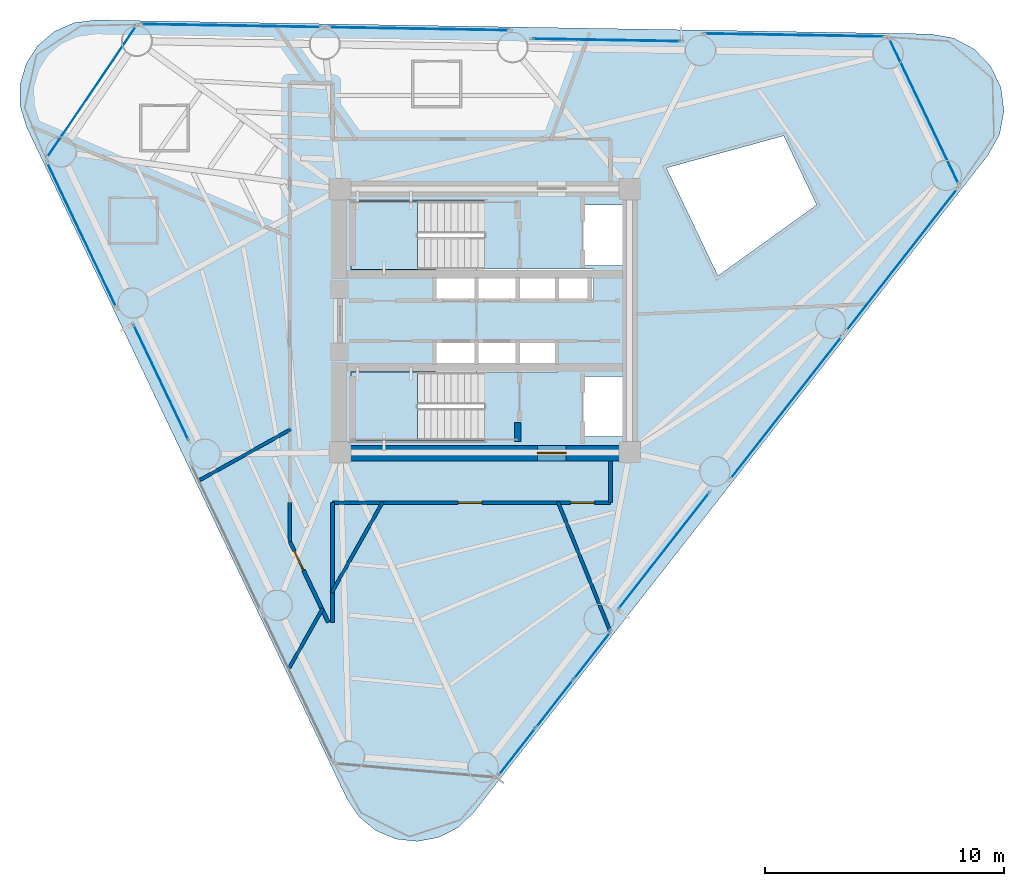
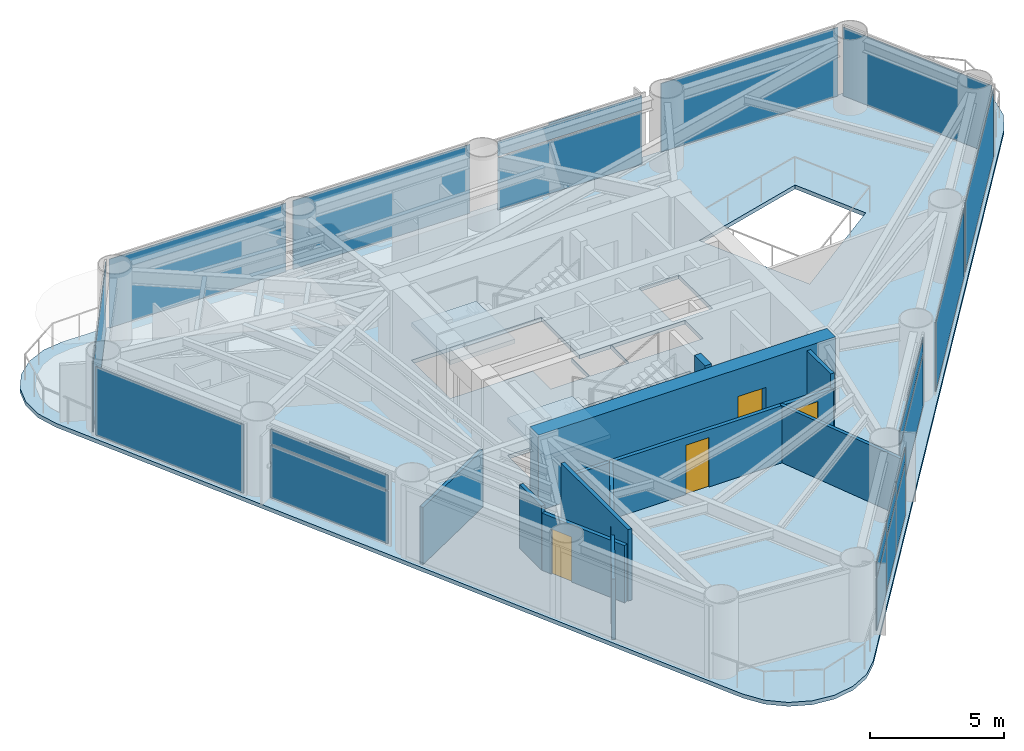
# One storey, part 5 of 10: 23 plates, 11 walls, 4 doors, 3 slabs, 4 openings, 14 elements without a shape of their own.
"""IFC4 building model written with IfcOpenShell, lengths in metres."""

import ifcopenshell
import ifcopenshell.guid

model = None  # the IFC model being written
_history = None  # IfcOwnerHistory: only IFC2X3 demands one
_inside = {}  # id of a spatial element -> (the spatial element, [elements in it])
_under = {}  # id of a project, library or spatial element -> (it, [spatial elements below it])
_declared = {}  # id of a project -> (the project, [libraries it declares])
_typed = {}  # id of a type object -> (the type object, [elements of that type])
_made_of = {}  # id of a material, layer set ... -> (it, [elements and type objects made of it])


def new_model(schema):
    """Start an empty IFC model of exactly this schema.

    Asked for "IFC4X3", IfcOpenShell would pick the latest addendum, in which some entities
    have other attributes; the version numbers below select the first issue.
    IFC2X3 requires an IfcOwnerHistory on every rooted entity: one is made here for all.
    """
    global model, _history
    if schema == "IFC4X3":
        model = ifcopenshell.file(schema_version=(4, 3, 0, 0))
    else:
        model = ifcopenshell.file(schema=schema)
    _inside.clear()
    _under.clear()
    _declared.clear()
    _typed.clear()
    _made_of.clear()
    _history = None
    if model.schema == "IFC2X3":
        org = make("IfcOrganization", Name="unknown")
        user = make(
            "IfcPersonAndOrganization",
            ThePerson=make("IfcPerson", FamilyName="unknown"),
            TheOrganization=org,
        )
        app = make(
            "IfcApplication",
            ApplicationDeveloper=org,
            Version="unknown",
            ApplicationFullName="unknown",
            ApplicationIdentifier="unknown",
        )
        _history = make(
            "IfcOwnerHistory",
            OwningUser=user,
            OwningApplication=app,
            ChangeAction="ADDED",
            CreationDate=0,
        )
    return model


def make(cls, **values):
    """One entity of the class cls with the attributes given. An attribute that is None is left unset."""
    return model.create_entity(
        cls, **{name: value for name, value in values.items() if value is not None}
    )


def rooted(cls, **values):
    """An entity with a GlobalId (a new one), such as an element, a storey or a relation."""
    return make(cls, GlobalId=ifcopenshell.guid.new(), OwnerHistory=_history, **values)


def si_unit(unit_type, name, prefix=None):
    """IfcSIUnit, for example si_unit("LENGTHUNIT", "METRE", prefix="MILLI")."""
    return make("IfcSIUnit", UnitType=unit_type, Prefix=prefix, Name=name)


def assignment(units):
    """IfcUnitAssignment: the units of a project."""
    return None if units is None else make("IfcUnitAssignment", Units=units)


def point(xyz):
    """IfcCartesianPoint."""
    return None if xyz is None else make("IfcCartesianPoint", Coordinates=xyz)


def direction(xyz):
    """IfcDirection."""
    return None if xyz is None else make("IfcDirection", DirectionRatios=xyz)


def frame(location, z_axis=None, x_axis=None):
    """IfcAxis2Placement3D, a coordinate frame: its origin and axes. An axis left out is left unset."""
    return make(
        "IfcAxis2Placement3D",
        Location=point(location),
        Axis=direction(z_axis),
        RefDirection=direction(x_axis),
    )


def frame_2d(location, x_axis=None):
    """IfcAxis2Placement2D, a coordinate frame in the plane: its origin and x axis."""
    return make(
        "IfcAxis2Placement2D", Location=point(location), RefDirection=direction(x_axis)
    )


def origin():
    """The frame at (0, 0, 0) with its axes left unset."""
    return frame((0.0, 0.0, 0.0))


def origin_2d():
    """The frame at (0, 0) in the plane with its x axis left unset."""
    return frame_2d((0.0, 0.0))


def place(relative_to, where):
    """IfcLocalPlacement: puts the frame where relative to a parent placement (None: the world)."""
    return make(
        "IfcLocalPlacement", PlacementRelTo=relative_to, RelativePlacement=where
    )


def context(
    kind, dimensions, precision=None, world=None, true_north=None, identifier=None
):
    """IfcGeometricRepresentationContext, for example the 3D "Model" context."""
    return make(
        "IfcGeometricRepresentationContext",
        ContextIdentifier=identifier,
        ContextType=kind,
        CoordinateSpaceDimension=dimensions,
        Precision=precision,
        WorldCoordinateSystem=world,
        TrueNorth=true_north,
    )


def subcontext(parent, identifier, kind, view, scale=None):
    """IfcGeometricRepresentationSubContext, for example "Body" below "Model"."""
    return make(
        "IfcGeometricRepresentationSubContext",
        ContextIdentifier=identifier,
        ContextType=kind,
        ParentContext=parent,
        TargetScale=scale,
        TargetView=view,
    )


def project(units=None, contexts=None):
    """IfcProject with its units and contexts."""
    return rooted(
        "IfcProject",
        Name="project",
        RepresentationContexts=contexts,
        UnitsInContext=assignment(units),
    )


def spatial(cls, under=None, at=None, **own):
    """A site, building, storey or space (cls), placed at a placement, below another one or the project."""
    s = rooted(cls, ObjectPlacement=at, **own)
    if under is not None:
        _under.setdefault(under.id(), (under, []))[1].append(s)
    return s


def polyline(points):
    """IfcPolyline through the points."""
    return make("IfcPolyline", Points=[point(p) for p in points])


def profile(cls, at=None, kind="AREA", **sizes):
    """A parametric profile (cls). Its sizes go by their IFC names, for example OverallWidth=200.0."""
    return make(cls, ProfileType=kind, Position=at, **sizes)


def rectangle(**sizes):
    """IfcRectangleProfileDef."""
    return profile("IfcRectangleProfileDef", **sizes)


def outline(outer, holes=None, kind="AREA"):
    """IfcArbitraryClosedProfileDef: a profile drawn as a closed curve; with holes, ...WithVoids."""
    if holes is None:
        return make("IfcArbitraryClosedProfileDef", ProfileType=kind, OuterCurve=outer)
    return make(
        "IfcArbitraryProfileDefWithVoids",
        ProfileType=kind,
        OuterCurve=outer,
        InnerCurves=holes,
    )


def extrude(swept, where, along, depth):
    """IfcExtrudedAreaSolid: the profile swept, set in the frame where, extruded along a direction by depth."""
    return make(
        "IfcExtrudedAreaSolid",
        SweptArea=swept,
        Position=where,
        ExtrudedDirection=direction(along),
        Depth=depth,
    )


def shape(context_of_items, identifier, shape_type, items):
    """IfcShapeRepresentation: the items that make up one representation, for example the "Body"."""
    return make(
        "IfcShapeRepresentation",
        ContextOfItems=context_of_items,
        RepresentationIdentifier=identifier,
        RepresentationType=shape_type,
        Items=items,
    )


def source(mapping_origin, context_of_items, identifier, shape_type, items):
    """IfcRepresentationMap: a shape defined once, which mapped items show again and again."""
    return make(
        "IfcRepresentationMap",
        MappingOrigin=mapping_origin,
        MappedRepresentation=shape(context_of_items, identifier, shape_type, items),
    )


def transform(
    local_origin,
    x_axis=None,
    y_axis=None,
    z_axis=None,
    scale=None,
    scale2=None,
    scale3=None,
    uniform=True,
):
    """IfcCartesianTransformationOperator3D, or its non-uniform kind. x_axis, y_axis, z_axis: its Axis1, 2, 3."""
    if uniform:
        return make(
            "IfcCartesianTransformationOperator3D",
            Axis1=direction(x_axis),
            Axis2=direction(y_axis),
            LocalOrigin=point(local_origin),
            Scale=scale,
            Axis3=direction(z_axis),
        )
    return make(
        "IfcCartesianTransformationOperator3DnonUniform",
        Axis1=direction(x_axis),
        Axis2=direction(y_axis),
        LocalOrigin=point(local_origin),
        Scale=scale,
        Axis3=direction(z_axis),
        Scale2=scale2,
        Scale3=scale3,
    )


def mapped(mapping_source, mapping_target):
    """IfcMappedItem: shows the shape of a source again, moved by a transform."""
    return make(
        "IfcMappedItem", MappingSource=mapping_source, MappingTarget=mapping_target
    )


def material(Name=None, Category=None):
    """IfcMaterial."""
    return make("IfcMaterial", Name=Name, Category=Category)


def layer(
    of_material, thickness, ventilated=None, Name=None, Category=None, Priority=None
):
    """IfcMaterialLayer: one layer of a wall or slab, of a material (None: an air gap)."""
    return make(
        "IfcMaterialLayer",
        Material=of_material,
        LayerThickness=thickness,
        IsVentilated=ventilated,
        Name=Name,
        Category=Category,
        Priority=Priority,
    )


def layer_set(layers, Name=None):
    """IfcMaterialLayerSet."""
    return make("IfcMaterialLayerSet", MaterialLayers=layers, LayerSetName=Name)


def made_of(thing, what):
    """Note that an element or type object is made of a material, layer set ...; save() writes the relation."""
    if what is not None:
        _made_of.setdefault(what.id(), (what, []))[1].append(thing)
    return thing


def type_object(cls, material=None, **own):
    """A type object (cls), such as IfcWallType, which elements share."""
    return made_of(rooted(cls, **own), material)


def element(
    cls,
    number,
    at=None,
    inside=None,
    cuts=None,
    type_object=None,
    material=None,
    context=None,
    identifier="Body",
    shape_type=None,
    held_by="IfcProductDefinitionShape",
    body=None,
    shapes=None,
    **own,
):
    """One element of the class cls, such as IfcWall. Its Tag is "e" and its number.

    at: its placement. inside: the storey or other place that contains it. cuts: it is an
    opening in that element (IfcRelVoidsElement). A single representation is given by context,
    identifier, shape_type and body (its items); several are given by shapes. held_by: the class
    of the entity that holds the representations. save() writes the other relations.
    """
    e = rooted(cls, Tag="e%d" % number, ObjectPlacement=at, **own)
    if body is not None:
        shapes = [shape(context, identifier, shape_type, body)]
    if shapes is not None:
        e.Representation = make(held_by, Representations=shapes)
    if inside is not None:
        _inside.setdefault(inside.id(), (inside, []))[1].append(e)
    if cuts is not None:
        rooted(
            "IfcRelVoidsElement", RelatingBuildingElement=cuts, RelatedOpeningElement=e
        )
    if type_object is not None:
        _typed.setdefault(type_object.id(), (type_object, []))[1].append(e)
    return made_of(e, material)


def fill(opening, filler):
    """IfcRelFillsElement: the door or window that sits in an opening."""
    return rooted(
        "IfcRelFillsElement",
        RelatingOpeningElement=opening,
        RelatedBuildingElement=filler,
    )


def aggregate(whole, parts):
    """IfcRelAggregates: a whole, such as a stair, and the parts it consists of."""
    return rooted("IfcRelAggregates", RelatingObject=whole, RelatedObjects=parts)


def save(model, path):
    """Write the relations noted so far, then the file.

    IfcRelAggregates (storeys below a building ...), IfcRelContainedInSpatialStructure (elements
    in a storey), IfcRelDefinesByType, IfcRelAssociatesMaterial and IfcRelDeclares: one each for
    every whole, place, type object, material and project.
    """
    for whole, parts in _under.values():
        aggregate(whole, parts)
    for where, things in _inside.values():
        rooted(
            "IfcRelContainedInSpatialStructure",
            RelatedElements=things,
            RelatingStructure=where,
        )
    for kind, things in _typed.values():
        rooted("IfcRelDefinesByType", RelatedObjects=things, RelatingType=kind)
    for what, things in _made_of.values():
        rooted("IfcRelAssociatesMaterial", RelatedObjects=things, RelatingMaterial=what)
    for by, libraries in _declared.values():
        rooted("IfcRelDeclares", RelatingContext=by, RelatedDefinitions=libraries)
    model.write(path)


model = new_model("IFC4")

# Units and contexts
model_context = context("Model", 3, precision=1e-05, world=origin(), true_north=direction((0.0, 1.0)))
body_context = subcontext(model_context, "Body", "Model", "MODEL_VIEW")
ifc_project = project(units=[si_unit("LENGTHUNIT", "METRE"), si_unit("AREAUNIT", "SQUARE_METRE"), si_unit("VOLUMEUNIT", "CUBIC_METRE"), si_unit("PLANEANGLEUNIT", "RADIAN"), si_unit("MASSUNIT", "GRAM", prefix="KILO")], contexts=[model_context])

# Site, building, storey
site_placement = place(None, origin())
site = spatial("IfcSite", under=ifc_project, at=site_placement, CompositionType="ELEMENT")
building_placement = place(site_placement, origin())
building = spatial("IfcBuilding", under=site, at=building_placement, Name="Yunling Apex Tower", CompositionType="ELEMENT")
storey_placement = place(building_placement, frame((0.0, 0.0, 139.85009765625)))
storey = spatial("IfcBuildingStorey", under=building, at=storey_placement, Name="L34", CompositionType="ELEMENT", Elevation=139.85009765625)

# Slab
ifc_material_1 = material(Name="Concrete C40", Category="concrete")
ifc_layer_1 = layer(ifc_material_1, 0.1650390625)
ifc_layer_set_1 = layer_set([ifc_layer_1], Name="Concrete C40")
slab_type_1 = type_object("IfcSlabType", Name="SL-FLR-2", PredefinedType="FLOOR", material=ifc_layer_set_1)
slab_1_placement = place(storey_placement, frame((0.0, 0.0, -0.18017578125)))
element("IfcSlab", 1, at=slab_1_placement, inside=storey, type_object=slab_type_1, Name="L34 Composite Tower Floor Slab", PredefinedType="FLOOR", context=body_context, shape_type="SweptSolid", body=[
    extrude(outline(polyline([(-5.759765625, -19.970947265625), (-5.255615234375, -20.723388671875), (-4.55712890625, -21.300048828125), (-3.722900390625, -21.652587890625), (-2.82275390625, -21.75146484375), (-1.931884765625, -21.58837890625), (-1.125, -21.17724609375), (-0.469482421875, -20.55224609375), (21.029541015625, 6.926025390625), (21.5078125, 7.7900390625), (21.693115234375, 8.76025390625), (21.566650390625, 9.73974609375), (21.1416015625, 10.631103515625), (20.459716796875, 11.345703125), (19.58935546875, 11.812255859375), (18.616943359375, 11.984375), (-16.267578125, 12.569091796875), (-17.165771484375, 12.453125), (-17.9931640625, 12.084716796875), (-18.680419921875, 11.4951171875), (-19.170166015625, 10.733154296875), (-19.421142578125, 9.86279296875), (-19.41259765625, 8.957275390625), (-19.14501953125, 8.092041015625), (-5.759765625, -19.970947265625)]), holes=[polyline([(12.489013671875, 7.7294921875), (13.86669921875, 4.84130859375), (9.7412109375, 1.87646484375), (7.58837890625, 6.389404296875), (12.489013671875, 7.7294921875)]), polyline([(4.090087890625, -2.320068359375), (5.81005859375, -2.320068359375), (5.81005859375, -4.840087890625), (4.090087890625, -4.840087890625), (4.090087890625, -2.320068359375)]), polyline([(5.81005859375, 4.840087890625), (5.81005859375, 2.320068359375), (4.090087890625, 2.320068359375), (4.090087890625, 4.840087890625), (5.81005859375, 4.840087890625)]), polyline([(1.364990234375, 2.1650390625), (4.534912109375, 2.1650390625), (4.534912109375, 0.794921875), (1.364990234375, 0.794921875), (1.364990234375, 2.1650390625)]), polyline([(3.034912109375, -0.794921875), (3.034912109375, -2.1650390625), (1.364990234375, -2.1650390625), (1.364990234375, -0.794921875), (3.034912109375, -0.794921875)]), polyline([(-2.034912109375, -0.794921875), (-0.364990234375, -0.794921875), (-0.364990234375, -2.139892578125), (-0.3349609375, -2.139892578125), (-0.3349609375, -0.794921875), (1.3349609375, -0.794921875), (1.3349609375, -2.1650390625), (-0.010009765625, -2.1650390625), (-0.010009765625, -5.010009765625), (-5.60009765625, -5.010009765625), (-5.60009765625, -2.139892578125), (-2.034912109375, -2.139892578125), (-2.034912109375, -0.794921875)]), polyline([(-5.60009765625, 2.139892578125), (-5.60009765625, 5.010009765625), (-0.010009765625, 5.010009765625), (-0.010009765625, 2.1650390625), (1.3349609375, 2.1650390625), (1.3349609375, 0.794921875), (-0.3349609375, 0.794921875), (-0.3349609375, 2.139892578125), (-0.364990234375, 2.139892578125), (-0.364990234375, 0.794921875), (-2.034912109375, 0.794921875), (-2.034912109375, 2.139892578125), (-5.60009765625, 2.139892578125)])]), origin(), (0.0, 0.0, 1.0), 0.18017578125),
])

# Stair, slab
stair_type = type_object("IfcStairType", Name="ST-TWR-2", PredefinedType="HALF_TURN_STAIR", material=ifc_material_1)
stair_1_placement = place(storey_placement, origin())
stair_1 = element("IfcStair", 2, at=stair_1_placement, inside=storey, type_object=stair_type, Name="L34 North Core Smokeproof Exit Stair ST-1", PredefinedType="HALF_TURN_STAIR")
ifc_layer_2 = layer(ifc_material_1, 0.195068359375)
ifc_layer_set_2 = layer_set([ifc_layer_2], Name="Concrete C40")
slab_type_2 = type_object("IfcSlabType", Name="SL-LND-1", PredefinedType="LANDING", material=ifc_layer_set_2)
slab_2_placement = place(storey_placement, frame((0.0, 0.0, 1.52978515625)))
slab_2 = element("IfcSlab", 3, at=slab_2_placement, type_object=slab_type_2, Name="ST-1 landing 1", PredefinedType="LANDING", context=body_context, shape_type="SweptSolid", body=[
    extrude(outline(polyline([(-2.81005859375, 5.010009765625), (-5.60009765625, 5.010009765625), (-5.60009765625, 2.139892578125), (-2.81005859375, 2.139892578125), (-2.81005859375, 5.010009765625)])), origin(), (0.0, 0.0, 1.0), 0.195068359375),
])
aggregate(stair_1, [slab_2])

stair_2_placement = place(storey_placement, origin())
stair_2 = element("IfcStair", 4, at=stair_2_placement, inside=storey, type_object=stair_type, Name="L34 South Core Smokeproof Exit Stair ST-2", PredefinedType="HALF_TURN_STAIR")
slab_3_placement = place(storey_placement, frame((0.0, 0.0, 1.52978515625)))
slab_3 = element("IfcSlab", 5, at=slab_3_placement, type_object=slab_type_2, Name="ST-2 landing 1", PredefinedType="LANDING", context=body_context, shape_type="SweptSolid", body=[
    extrude(outline(polyline([(-2.81005859375, -2.139892578125), (-5.60009765625, -2.139892578125), (-5.60009765625, -5.010009765625), (-2.81005859375, -5.010009765625), (-2.81005859375, -2.139892578125)])), origin(), (0.0, 0.0, 1.0), 0.195068359375),
])
aggregate(stair_2, [slab_3])

# Plates
ifc_material_2 = material(Name="Bronze anodised aluminium", Category="aluminium")
ifc_layer_3 = layer(ifc_material_2, 0.011962890625)
ifc_layer_set_3 = layer_set([ifc_layer_3], Name="Bronze anodised aluminium")
plate_type_1 = type_object("IfcPlateType", Name="SP-SHT-1", PredefinedType="SHEET", material=ifc_layer_set_3)
shared_shape_1 = source(origin(), body_context, "Body", "SweptSolid", [
    extrude(rectangle(XDim=1.800048828125, YDim=0.02392578125, at=origin_2d()), origin(), (0.0, 0.0, 1.0), 0.43994140625),
])
for number, where, z_axis, x_axis, name in (
    (6, (7.4833984375, -9.608642578125, 2.869873046875), (0.0, 0.0, 1.0), (0.616211460536, 0.787580748815, 0.0), "SP-GRV-L34-F1"),
    (7, (5.091064453125, 11.73095703125, 2.869873046875), (0.0, 0.0, 1.0), (-0.999859635577, 0.016754376869, 0.0), "SP-GRV-L34-F2"),
    (8, (-13.52490234375, -2.57568359375, 2.869873046875), (0.0, 0.0, 1.0), (0.430511096808, -0.90258528435, 0.0), "SP-GRV-L34-F3"),
):
    element("IfcPlate", number, at=place(storey_placement, frame(where, z_axis=z_axis, x_axis=x_axis)), inside=storey, type_object=plate_type_1, Name=name, PredefinedType="SHEET", context=body_context, shape_type="MappedRepresentation", body=[
        mapped(shared_shape_1, transform((0.0, 0.0, 0.0), scale=1.0)),
    ])

# Curtain wall, plates
ifc_layer_4 = layer(ifc_material_2, 0.239990234375)
ifc_layer_set_4 = layer_set([ifc_layer_4], Name="Bronze anodised aluminium")
curtain_wall_type = type_object("IfcCurtainWallType", Name="CW-SYS-3", PredefinedType="NOTDEFINED", material=ifc_layer_set_4)
curtain_wall_1_placement = place(storey_placement, origin())
curtain_wall_1 = element("IfcCurtainWall", 9, at=curtain_wall_1_placement, inside=storey, type_object=curtain_wall_type, Name="CW-L34-F1-B1", PredefinedType="NOTDEFINED")
ifc_material_3 = material(Name="Bronze tinted low-E glass", Category="glass")
ifc_layer_5 = layer(ifc_material_3, 0.031982421875)
ifc_layer_set_5 = layer_set([ifc_layer_5], Name="Bronze tinted low-E glass")
plate_type_2 = type_object("IfcPlateType", Name="CW-PNL-3", PredefinedType="CURTAIN_PANEL", material=ifc_layer_set_5)
shared_shape_2 = source(origin(), body_context, "Body", "SweptSolid", [
    extrude(rectangle(XDim=2.45947265625, YDim=0.031982421875, at=origin_2d()), origin(), (0.0, 0.0, 1.0), 2.381103515625),
])
plate_1_placement = place(storey_placement, frame((1.3466796875, -18.00390625, 0.07177734375), z_axis=(0.0, 0.0, 1.0), x_axis=(0.616207626377, 0.787583748686, 0.0)))
plate_1 = element("IfcPlate", 10, at=plate_1_placement, type_object=plate_type_2, Name="CW-SYS-3 panel 1.1", PredefinedType="CURTAIN_PANEL", context=body_context, shape_type="MappedRepresentation", body=[
    mapped(shared_shape_2, transform((0.0, 0.0, 0.0), scale=1.0)),
])
plate_2_placement = place(storey_placement, frame((4.481201171875, -13.99755859375, 0.07177734375), z_axis=(0.0, 0.0, 1.0), x_axis=(0.616207626377, 0.787583748686, 0.0)))
plate_2 = element("IfcPlate", 11, at=plate_2_placement, type_object=plate_type_2, Name="CW-SYS-3 panel 3.1", PredefinedType="CURTAIN_PANEL", context=body_context, shape_type="MappedRepresentation", body=[
    mapped(shared_shape_2, transform((0.0, 0.0, 0.0), scale=1.0)),
])
shared_shape_3 = source(origin(), body_context, "Body", "SweptSolid", [
    extrude(rectangle(XDim=2.45947265625, YDim=0.031982421875, at=origin_2d()), origin(), (0.0, 0.0, 1.0), 0.680908203125),
])
plate_3_placement = place(storey_placement, frame((1.3466796875, -18.00390625, 2.51708984375), z_axis=(0.0, 0.0, 1.0), x_axis=(0.616207626377, 0.787583748686, 0.0)))
plate_3 = element("IfcPlate", 12, at=plate_3_placement, type_object=plate_type_2, Name="CW-SYS-3 panel 1.2", PredefinedType="CURTAIN_PANEL", context=body_context, shape_type="MappedRepresentation", body=[
    mapped(shared_shape_3, transform((0.0, 0.0, 0.0), scale=1.0)),
])
plate_4_placement = place(storey_placement, frame((4.481201171875, -13.99755859375, 2.51708984375), z_axis=(0.0, 0.0, 1.0), x_axis=(0.616207626377, 0.787583748686, 0.0)))
plate_4 = element("IfcPlate", 13, at=plate_4_placement, type_object=plate_type_2, Name="CW-SYS-3 panel 3.2", PredefinedType="CURTAIN_PANEL", context=body_context, shape_type="MappedRepresentation", body=[
    mapped(shared_shape_3, transform((0.0, 0.0, 0.0), scale=1.0)),
])
shared_shape_4 = source(origin(), body_context, "Body", "SweptSolid", [
    extrude(rectangle(XDim=2.499267578125, YDim=0.031982421875, at=origin_2d()), origin(), (0.0, 0.0, 1.0), 2.381103515625),
])
plate_5_placement = place(storey_placement, frame((2.913818359375, -16.000732421875, 0.07177734375), z_axis=(0.0, 0.0, 1.0), x_axis=(0.616207626377, 0.787583748686, 0.0)))
plate_5 = element("IfcPlate", 14, at=plate_5_placement, type_object=plate_type_2, Name="CW-SYS-3 panel 2.1", PredefinedType="CURTAIN_PANEL", context=body_context, shape_type="MappedRepresentation", body=[
    mapped(shared_shape_4, transform((0.0, 0.0, 0.0), scale=1.0)),
])
shared_shape_5 = source(origin(), body_context, "Body", "SweptSolid", [
    extrude(rectangle(XDim=2.499267578125, YDim=0.031982421875, at=origin_2d()), origin(), (0.0, 0.0, 1.0), 0.680908203125),
])
plate_6_placement = place(storey_placement, frame((2.913818359375, -16.000732421875, 2.51708984375), z_axis=(0.0, 0.0, 1.0), x_axis=(0.616207626377, 0.787583748686, 0.0)))
plate_6 = element("IfcPlate", 15, at=plate_6_placement, type_object=plate_type_2, Name="CW-SYS-3 panel 2.2", PredefinedType="CURTAIN_PANEL", context=body_context, shape_type="MappedRepresentation", body=[
    mapped(shared_shape_5, transform((0.0, 0.0, 0.0), scale=1.0)),
])
aggregate(curtain_wall_1, [plate_1, plate_3, plate_5, plate_6, plate_2, plate_4])

curtain_wall_2_placement = place(storey_placement, origin())
curtain_wall_2 = element("IfcCurtainWall", 16, at=curtain_wall_2_placement, inside=storey, type_object=curtain_wall_type, Name="CW-L34-F1-B2", PredefinedType="NOTDEFINED")
shared_shape_6 = source(origin(), body_context, "Body", "SweptSolid", [
    extrude(rectangle(XDim=6.166015625, YDim=0.031982421875, at=origin_2d()), origin(), (0.0, 0.0, 1.0), 2.381103515625),
])
plate_7_placement = place(storey_placement, frame((7.4833984375, -9.608642578125, 0.07177734375), z_axis=(0.0, 0.0, 1.0), x_axis=(0.616199292419, 0.787590269126, 0.0)))
plate_7 = element("IfcPlate", 17, at=plate_7_placement, type_object=plate_type_2, Name="CW-SYS-3 panel 1.1", PredefinedType="CURTAIN_PANEL", context=body_context, shape_type="MappedRepresentation", body=[
    mapped(shared_shape_6, transform((0.0, 0.0, 0.0), scale=1.0)),
])
shared_shape_7 = source(origin(), body_context, "Body", "SweptSolid", [
    extrude(rectangle(XDim=6.166015625, YDim=0.031982421875, at=origin_2d()), origin(), (0.0, 0.0, 1.0), 0.680908203125),
])
plate_8_placement = place(storey_placement, frame((7.4833984375, -9.608642578125, 2.51708984375), z_axis=(0.0, 0.0, 1.0), x_axis=(0.616199292419, 0.787590269126, 0.0)))
plate_8 = element("IfcPlate", 18, at=plate_8_placement, type_object=plate_type_2, Name="CW-SYS-3 panel 1.2", PredefinedType="CURTAIN_PANEL", context=body_context, shape_type="MappedRepresentation", body=[
    mapped(shared_shape_7, transform((0.0, 0.0, 0.0), scale=1.0)),
])
aggregate(curtain_wall_2, [plate_7, plate_8])

# Curtain wall, plate
curtain_wall_3_placement = place(storey_placement, origin())
curtain_wall_3 = element("IfcCurtainWall", 19, at=curtain_wall_3_placement, inside=storey, type_object=curtain_wall_type, Name="CW-L34-F1-B3", PredefinedType="NOTDEFINED")
shared_shape_8 = source(origin(), body_context, "Body", "SweptSolid", [
    extrude(rectangle(XDim=7.546142578125, YDim=0.031982421875, at=origin_2d()), origin(), (0.0, 0.0, 1.0), 3.1259765625),
])
plate_9_placement = place(storey_placement, frame((12.58837890625, -3.635498046875, 0.072021484375), z_axis=(0.0, 0.0, 1.0), x_axis=(0.616207626377, 0.787583748686, 0.0)))
plate_9 = element("IfcPlate", 20, at=plate_9_placement, type_object=plate_type_2, Name="CW-SYS-3 panel 1.1", PredefinedType="CURTAIN_PANEL", context=body_context, shape_type="MappedRepresentation", body=[
    mapped(shared_shape_8, transform((0.0, 0.0, 0.0), scale=1.0)),
])
aggregate(curtain_wall_3, [plate_9])

curtain_wall_4_placement = place(storey_placement, origin())
curtain_wall_4 = element("IfcCurtainWall", 21, at=curtain_wall_4_placement, inside=storey, type_object=curtain_wall_type, Name="CW-L34-F1-B4", PredefinedType="NOTDEFINED")
plate_10_placement = place(storey_placement, frame((17.425537109375, 2.547119140625, 0.072021484375), z_axis=(0.0, 0.0, 1.0), x_axis=(0.616207626377, 0.787583748686, 0.0)))
plate_10 = element("IfcPlate", 22, at=plate_10_placement, type_object=plate_type_2, Name="CW-SYS-3 panel 1.1", PredefinedType="CURTAIN_PANEL", context=body_context, shape_type="MappedRepresentation", body=[
    mapped(shared_shape_8, transform((0.0, 0.0, 0.0), scale=1.0)),
])
aggregate(curtain_wall_4, [plate_10])

curtain_wall_5_placement = place(storey_placement, origin())
curtain_wall_5 = element("IfcCurtainWall", 23, at=curtain_wall_5_placement, inside=storey, type_object=curtain_wall_type, Name="CW-L34-F2-B1", PredefinedType="NOTDEFINED")
plate_11_placement = place(storey_placement, frame((12.94580078125, 11.939453125, 0.072021484375), z_axis=(0.0, 0.0, 1.0), x_axis=(-0.99985951392, 0.016761635477, 0.0)))
plate_11 = element("IfcPlate", 24, at=plate_11_placement, type_object=plate_type_2, Name="CW-SYS-3 panel 1.1", PredefinedType="CURTAIN_PANEL", context=body_context, shape_type="MappedRepresentation", body=[
    mapped(shared_shape_8, transform((0.0, 0.0, 0.0), scale=1.0)),
])
aggregate(curtain_wall_5, [plate_11])

curtain_wall_6_placement = place(storey_placement, origin())
curtain_wall_6 = element("IfcCurtainWall", 25, at=curtain_wall_6_placement, inside=storey, type_object=curtain_wall_type, Name="CW-L34-F2-B3", PredefinedType="NOTDEFINED")
plate_12_placement = place(storey_placement, frame((-2.752197265625, 12.20263671875, 0.072021484375), z_axis=(0.0, 0.0, 1.0), x_axis=(-0.99985951392, 0.016761635477, 0.0)))
plate_12 = element("IfcPlate", 26, at=plate_12_placement, type_object=plate_type_2, Name="CW-SYS-3 panel 1.1", PredefinedType="CURTAIN_PANEL", context=body_context, shape_type="MappedRepresentation", body=[
    mapped(shared_shape_8, transform((0.0, 0.0, 0.0), scale=1.0)),
])
aggregate(curtain_wall_6, [plate_12])

curtain_wall_7_placement = place(storey_placement, origin())
curtain_wall_7 = element("IfcCurtainWall", 27, at=curtain_wall_7_placement, inside=storey, type_object=curtain_wall_type, Name="CW-L34-F2-B4", PredefinedType="NOTDEFINED")
plate_13_placement = place(storey_placement, frame((-10.60107421875, 12.334228515625, 0.072021484375), z_axis=(0.0, 0.0, 1.0), x_axis=(-0.99985951392, 0.016761635477, 0.0)))
plate_13 = element("IfcPlate", 28, at=plate_13_placement, type_object=plate_type_2, Name="CW-SYS-3 panel 1.1", PredefinedType="CURTAIN_PANEL", context=body_context, shape_type="MappedRepresentation", body=[
    mapped(shared_shape_8, transform((0.0, 0.0, 0.0), scale=1.0)),
])
aggregate(curtain_wall_7, [plate_13])

curtain_wall_8_placement = place(storey_placement, origin())
curtain_wall_8 = element("IfcCurtainWall", 29, at=curtain_wall_8_placement, inside=storey, type_object=curtain_wall_type, Name="CW-L34-CRN1", PredefinedType="NOTDEFINED")
shared_shape_9 = source(origin(), body_context, "Body", "SweptSolid", [
    extrude(rectangle(XDim=6.728271484375, YDim=0.031982421875, at=origin_2d()), origin(), (0.0, 0.0, 1.0), 3.1259765625),
])
plate_14_placement = place(storey_placement, frame((18.349365234375, 8.752197265625, 0.072021484375), z_axis=(0.0, 0.0, 1.0), x_axis=(-0.430518667458, 0.902581673296, 0.0)))
plate_14 = element("IfcPlate", 30, at=plate_14_placement, type_object=plate_type_2, Name="CW-SYS-3 panel 1.1", PredefinedType="CURTAIN_PANEL", context=body_context, shape_type="MappedRepresentation", body=[
    mapped(shared_shape_9, transform((0.0, 0.0, 0.0), scale=1.0)),
])
aggregate(curtain_wall_8, [plate_14])

# Curtain wall, plates
curtain_wall_9_placement = place(storey_placement, origin())
curtain_wall_9 = element("IfcCurtainWall", 31, at=curtain_wall_9_placement, inside=storey, type_object=curtain_wall_type, Name="CW-L34-F2-B2", PredefinedType="NOTDEFINED")
shared_shape_10 = source(origin(), body_context, "Body", "SweptSolid", [
    extrude(rectangle(XDim=6.166259765625, YDim=0.031982421875, at=origin_2d()), origin(), (0.0, 0.0, 1.0), 2.381103515625),
])
plate_15_placement = place(storey_placement, frame((5.091064453125, 11.73095703125, 0.07177734375), z_axis=(0.0, 0.0, 1.0), x_axis=(-0.999859431696, 0.016766539529, 0.0)))
plate_15 = element("IfcPlate", 32, at=plate_15_placement, type_object=plate_type_2, Name="CW-SYS-3 panel 1.1", PredefinedType="CURTAIN_PANEL", context=body_context, shape_type="MappedRepresentation", body=[
    mapped(shared_shape_10, transform((0.0, 0.0, 0.0), scale=1.0)),
])
shared_shape_11 = source(origin(), body_context, "Body", "SweptSolid", [
    extrude(rectangle(XDim=6.166259765625, YDim=0.031982421875, at=origin_2d()), origin(), (0.0, 0.0, 1.0), 0.680908203125),
])
plate_16_placement = place(storey_placement, frame((5.091064453125, 11.73095703125, 2.51708984375), z_axis=(0.0, 0.0, 1.0), x_axis=(-0.999859431696, 0.016766539529, 0.0)))
plate_16 = element("IfcPlate", 33, at=plate_16_placement, type_object=plate_type_2, Name="CW-SYS-3 panel 1.2", PredefinedType="CURTAIN_PANEL", context=body_context, shape_type="MappedRepresentation", body=[
    mapped(shared_shape_11, transform((0.0, 0.0, 0.0), scale=1.0)),
])
aggregate(curtain_wall_9, [plate_15, plate_16])

# Curtain wall, plate
curtain_wall_10_placement = place(storey_placement, origin())
curtain_wall_10 = element("IfcCurtainWall", 34, at=curtain_wall_10_placement, inside=storey, type_object=curtain_wall_type, Name="CW-L34-CRN2", PredefinedType="NOTDEFINED")
shared_shape_12 = source(origin(), body_context, "Body", "SweptSolid", [
    extrude(rectangle(XDim=6.644775390625, YDim=0.031982421875, at=origin_2d()), origin(), (0.0, 0.0, 1.0), 3.1259765625),
])
plate_17_placement = place(storey_placement, frame((-16.4287109375, 9.56884765625, 0.072021484375), z_axis=(0.0, 0.0, 1.0), x_axis=(-0.560523052964, -0.82813882115, 0.0)))
plate_17 = element("IfcPlate", 35, at=plate_17_placement, type_object=plate_type_2, Name="CW-SYS-3 panel 1.1", PredefinedType="CURTAIN_PANEL", context=body_context, shape_type="MappedRepresentation", body=[
    mapped(shared_shape_12, transform((0.0, 0.0, 0.0), scale=1.0)),
])
aggregate(curtain_wall_10, [plate_17])

curtain_wall_11_placement = place(storey_placement, origin())
curtain_wall_11 = element("IfcCurtainWall", 36, at=curtain_wall_11_placement, inside=storey, type_object=curtain_wall_type, Name="CW-L34-F3-B1", PredefinedType="NOTDEFINED")
shared_shape_13 = source(origin(), body_context, "Body", "SweptSolid", [
    extrude(rectangle(XDim=6.691650390625, YDim=0.031982421875, at=origin_2d()), origin(), (0.0, 0.0, 1.0), 3.1259765625),
])
plate_18_placement = place(storey_placement, frame((-16.843505859375, 3.592041015625, 0.072021484375), z_axis=(0.0, 0.0, 1.0), x_axis=(0.4305058957, -0.902587765133, 0.0)))
plate_18 = element("IfcPlate", 37, at=plate_18_placement, type_object=plate_type_2, Name="CW-SYS-3 panel 1.1", PredefinedType="CURTAIN_PANEL", context=body_context, shape_type="MappedRepresentation", body=[
    mapped(shared_shape_13, transform((0.0, 0.0, 0.0), scale=1.0)),
])
aggregate(curtain_wall_11, [plate_18])

# Curtain wall, plates
curtain_wall_12_placement = place(storey_placement, origin())
curtain_wall_12 = element("IfcCurtainWall", 38, at=curtain_wall_12_placement, inside=storey, type_object=curtain_wall_type, Name="CW-L34-F3-B2", PredefinedType="NOTDEFINED")
shared_shape_14 = source(origin(), body_context, "Body", "SweptSolid", [
    extrude(rectangle(XDim=5.311767578125, YDim=0.031982421875, at=origin_2d()), origin(), (0.0, 0.0, 1.0), 2.381103515625),
])
plate_19_placement = place(storey_placement, frame((-13.52490234375, -2.57568359375, 0.07177734375), z_axis=(0.0, 0.0, 1.0), x_axis=(0.430522606859, -0.902579794247, 0.0)))
plate_19 = element("IfcPlate", 39, at=plate_19_placement, type_object=plate_type_2, Name="CW-SYS-3 panel 1.1", PredefinedType="CURTAIN_PANEL", context=body_context, shape_type="MappedRepresentation", body=[
    mapped(shared_shape_14, transform((0.0, 0.0, 0.0), scale=1.0)),
])
shared_shape_15 = source(origin(), body_context, "Body", "SweptSolid", [
    extrude(rectangle(XDim=5.311767578125, YDim=0.031982421875, at=origin_2d()), origin(), (0.0, 0.0, 1.0), 0.680908203125),
])
plate_20_placement = place(storey_placement, frame((-13.52490234375, -2.57568359375, 2.51708984375), z_axis=(0.0, 0.0, 1.0), x_axis=(0.430522606859, -0.902579794247, 0.0)))
plate_20 = element("IfcPlate", 40, at=plate_20_placement, type_object=plate_type_2, Name="CW-SYS-3 panel 1.2", PredefinedType="CURTAIN_PANEL", context=body_context, shape_type="MappedRepresentation", body=[
    mapped(shared_shape_15, transform((0.0, 0.0, 0.0), scale=1.0)),
])
aggregate(curtain_wall_12, [plate_19, plate_20])

# Wall, opening, door
ifc_material_4 = material(Name="Concrete C50", Category="concrete")
ifc_layer_6 = layer(ifc_material_4, 0.64990234375)
ifc_layer_set_6 = layer_set([ifc_layer_6], Name="Concrete C50")
wall_type_1 = type_object("IfcWallType", Name="WL-COR-2", PredefinedType="SHEAR", material=ifc_layer_set_6)
wall_1_placement = place(storey_placement, frame((-6.39990234375, -5.52490234375, 0.0), z_axis=(0.0, 0.0, 1.0), x_axis=(1.0, 0.0, 0.0)))
wall_1 = element("IfcWall", 41, at=wall_1_placement, inside=storey, type_object=wall_type_1, Name="L34 South Core Shear Wall", PredefinedType="SHEAR", context=body_context, shape_type="SweptSolid", body=[
    extrude(rectangle(XDim=12.7998046875, YDim=0.64990234375, at=frame_2d((6.39990234375, 0.0))), origin(), (0.0, 0.0, 1.0), 3.449951171875),
])
opening_1_placement = place(wall_1_placement, frame((8.60009765625, 0.0, 0.0)))
opening_1 = element("IfcOpeningElement", 42, at=opening_1_placement, cuts=wall_1, Name="Opening DR-FFL-1", PredefinedType="OPENING", context=body_context, shape_type="SweptSolid", body=[
    extrude(rectangle(XDim=1.199951171875, YDim=2.199951171875, at=frame_2d((0.60009765625, 1.10009765625))), frame((0.0, 0.3349609375, 0.0), z_axis=(0.0, -1.0, 0.0), x_axis=(1.0, 0.0, 0.0)), (0.0, 0.0, 1.0), 0.669921875),
])
ifc_material_5 = material(Name="Steel Q355B", Category="steel")
door_type_1 = type_object("IfcDoorType", Name="DR-FFL-1", OperationType="NOTDEFINED", PredefinedType="DOOR", material=ifc_material_5)
door_1_placement = place(opening_1_placement, origin())
door_1 = element("IfcDoor", 43, at=door_1_placement, inside=storey, type_object=door_type_1, Name="L34 South Firefighting Lobby Door", OperationType="SINGLE_SWING_RIGHT", OverallHeight=2.199951171875, OverallWidth=1.199951171875, PredefinedType="DOOR", context=body_context, shape_type="SweptSolid", body=[
    extrude(rectangle(XDim=1.199951171875, YDim=2.199951171875, at=frame_2d((0.60009765625, 1.10009765625))), frame((0.0, 0.02490234375, 0.0), z_axis=(0.0, -1.0, 0.0), x_axis=(1.0, 0.0, 0.0)), (0.0, 0.0, 1.0), 0.050048828125),
])
fill(opening_1, door_1)

# Wall
ifc_layer_7 = layer(ifc_material_1, 0.280029296875)
ifc_layer_set_7 = layer_set([ifc_layer_7], Name="Concrete C40")
wall_type_2 = type_object("IfcWallType", Name="WL-COR-8", PredefinedType="SHEAR", material=ifc_layer_set_7)
wall_2_placement = place(storey_placement, frame((1.3798828125, -5.050048828125, 0.0), z_axis=(0.0, 0.0, 1.0), x_axis=(0.0, 1.0, 0.0)))
element("IfcWall", 44, at=wall_2_placement, inside=storey, type_object=wall_type_2, Name="L34 ST-2 East Landing Bearing Pier", PredefinedType="SHEAR", context=body_context, shape_type="SweptSolid", body=[
    extrude(rectangle(XDim=0.800048828125, YDim=0.280029296875, at=frame_2d((0.39990234375, 0.0))), origin(), (0.0, 0.0, 1.0), 3.449951171875),
])

# Wall, opening, door
ifc_material_6 = material(Name="Gypsum board acoustic partition")
ifc_layer_8 = layer(ifc_material_6, 0.159912109375)
ifc_layer_set_8 = layer_set([ifc_layer_8], Name="Gypsum board acoustic partition")
wall_type_3 = type_object("IfcWallType", Name="WL-PRT-1", PredefinedType="PARTITIONING", material=ifc_layer_set_8)
wall_3_placement = place(storey_placement, frame((-6.538818359375, -12.60009765625, 0.0), z_axis=(0.0, 0.0, 1.0), x_axis=(-0.430488060039, 0.902596271965, 0.0)))
wall_3 = element("IfcWall", 45, at=wall_3_placement, inside=storey, type_object=wall_type_3, Name="WL-CORR-L34-01", PredefinedType="PARTITIONING", context=body_context, shape_type="SweptSolid", body=[
    extrude(rectangle(XDim=3.742431640625, YDim=0.159912109375, at=frame_2d((1.87109375, 0.0))), origin(), (0.0, 0.0, 1.0), 2.60498046875),
])
opening_2_placement = place(wall_3_placement, frame((2.4111328125, 0.0, 0.0)))
opening_2 = element("IfcOpeningElement", 46, at=opening_2_placement, cuts=wall_3, Name="Opening DR-SHF-1", PredefinedType="OPENING", context=body_context, shape_type="SweptSolid", body=[
    extrude(rectangle(XDim=0.89990234375, YDim=2.050048828125, at=frame_2d((0.449951171875, 1.02490234375))), frame((0.0, 0.08984375, 0.0), z_axis=(0.0, -1.0, 0.0), x_axis=(1.0, 0.0, 0.0)), (0.0, 0.0, 1.0), 0.179931640625),
])
door_type_2 = type_object("IfcDoorType", Name="DR-SHF-1", OperationType="NOTDEFINED", PredefinedType="DOOR", material=ifc_material_5)
door_2_placement = place(opening_2_placement, origin())
door_2 = element("IfcDoor", 47, at=door_2_placement, inside=storey, type_object=door_type_2, Name="L34 Housekeeping Room Door", OperationType="SINGLE_SWING_RIGHT", OverallHeight=2.050048828125, OverallWidth=0.89990234375, PredefinedType="DOOR", context=body_context, shape_type="SweptSolid", body=[
    extrude(rectangle(XDim=0.89990234375, YDim=2.050048828125, at=frame_2d((0.449951171875, 1.02490234375))), frame((0.0, 0.02490234375, 0.0), z_axis=(0.0, -1.0, 0.0), x_axis=(1.0, 0.0, 0.0)), (0.0, 0.0, 1.0), 0.050048828125),
])
fill(opening_2, door_2)

# Walls
wall_4_placement = place(storey_placement, frame((-8.14990234375, -9.22216796875, 0.0), z_axis=(0.0, 0.0, 1.0), x_axis=(0.0, 1.0, 0.0)))
element("IfcWall", 48, at=wall_4_placement, inside=storey, type_object=wall_type_3, Name="WL-CORR-L34-02", PredefinedType="PARTITIONING", context=body_context, shape_type="SweptSolid", body=[
    extrude(rectangle(XDim=1.6220703125, YDim=0.159912109375, at=frame_2d((0.81103515625, 0.0))), origin(), (0.0, 0.0, 1.0), 2.90478515625),
])
wall_5_placement = place(storey_placement, frame((5.25, -5.85009765625, 0.0), z_axis=(0.0, 0.0, 1.0), x_axis=(0.0, -1.0, 0.0)))
element("IfcWall", 49, at=wall_5_placement, inside=storey, type_object=wall_type_3, Name="WL-CORR-L34-09", PredefinedType="PARTITIONING", context=body_context, shape_type="SweptSolid", body=[
    extrude(rectangle(XDim=1.75, YDim=0.159912109375, at=frame_2d((0.875, 0.0))), origin(), (0.0, 0.0, 1.0), 3.25),
])

# Wall, openings, doors
wall_6_placement = place(storey_placement, frame((5.25, -7.60009765625, 0.0), z_axis=(0.0, 0.0, 1.0), x_axis=(-1.0, 0.0, 0.0)))
wall_6 = element("IfcWall", 50, at=wall_6_placement, inside=storey, type_object=wall_type_3, Name="WL-CORR-L34-10", PredefinedType="PARTITIONING", context=body_context, shape_type="SweptSolid", body=[
    extrude(rectangle(XDim=11.610107421875, YDim=0.159912109375, at=frame_2d((5.80517578125, 0.0))), origin(), (0.0, 0.0, 1.0), 2.60498046875),
])
opening_3_placement = place(wall_6_placement, frame((0.66455078125, 0.0, 0.0)))
opening_3 = element("IfcOpeningElement", 51, at=opening_3_placement, cuts=wall_6, Name="Opening DR-OFF-1", PredefinedType="OPENING", context=body_context, shape_type="SweptSolid", body=[
    extrude(rectangle(XDim=1.0, YDim=2.25, at=frame_2d((0.5, 1.125))), frame((0.0, 0.08984375, 0.0), z_axis=(0.0, -1.0, 0.0), x_axis=(1.0, 0.0, 0.0)), (0.0, 0.0, 1.0), 0.179931640625),
])
opening_4_placement = place(wall_6_placement, frame((5.36279296875, 0.0, 0.0)))
opening_4 = element("IfcOpeningElement", 52, at=opening_4_placement, cuts=wall_6, Name="Opening DR-OFF-1", PredefinedType="OPENING", context=body_context, shape_type="SweptSolid", body=[
    extrude(rectangle(XDim=1.0, YDim=2.25, at=frame_2d((0.5, 1.125))), frame((0.0, 0.08984375, 0.0), z_axis=(0.0, -1.0, 0.0), x_axis=(1.0, 0.0, 0.0)), (0.0, 0.0, 1.0), 0.179931640625),
])
door_type_3 = type_object("IfcDoorType", Name="DR-OFF-1", OperationType="NOTDEFINED", PredefinedType="DOOR", material=ifc_material_2)
door_3_placement = place(opening_3_placement, origin())
door_3 = element("IfcDoor", 53, at=door_3_placement, inside=storey, type_object=door_type_3, Name="L34 Executive Meeting Room Door", OperationType="SINGLE_SWING_LEFT", OverallHeight=2.25, OverallWidth=1.0, PredefinedType="DOOR", context=body_context, shape_type="SweptSolid", body=[
    extrude(rectangle(XDim=1.0, YDim=2.25, at=frame_2d((0.5, 1.125))), frame((0.0, 0.02490234375, 0.0), z_axis=(0.0, -1.0, 0.0), x_axis=(1.0, 0.0, 0.0)), (0.0, 0.0, 1.0), 0.050048828125),
])
fill(opening_3, door_3)
door_4_placement = place(opening_4_placement, origin())
door_4 = element("IfcDoor", 54, at=door_4_placement, inside=storey, type_object=door_type_3, Name="L34 Hotel Fitness Club Door", OperationType="SINGLE_SWING_RIGHT", OverallHeight=2.25, OverallWidth=1.0, PredefinedType="DOOR", context=body_context, shape_type="SweptSolid", body=[
    extrude(rectangle(XDim=1.0, YDim=2.25, at=frame_2d((0.5, 1.125))), frame((0.0, 0.02490234375, 0.0), z_axis=(0.0, -1.0, 0.0), x_axis=(1.0, 0.0, 0.0)), (0.0, 0.0, 1.0), 0.050048828125),
])
fill(opening_4, door_4)

# Walls
wall_7_placement = place(storey_placement, frame((-6.360107421875, -7.60009765625, 0.0), z_axis=(0.0, 0.0, 1.0), x_axis=(0.0, -1.0, 0.0)))
element("IfcWall", 55, at=wall_7_placement, inside=storey, type_object=wall_type_3, Name="WL-CORR-L34-11", PredefinedType="PARTITIONING", context=body_context, shape_type="SweptSolid", body=[
    extrude(rectangle(XDim=5.0, YDim=0.159912109375, at=frame_2d((2.5, 0.0))), origin(), (0.0, 0.0, 1.0), 3.25),
])
ifc_layer_9 = layer(ifc_material_6, 0.139892578125)
ifc_layer_set_9 = layer_set([ifc_layer_9], Name="Gypsum board acoustic partition")
wall_type_4 = type_object("IfcWallType", Name="WL-PRT-2", PredefinedType="PARTITIONING", material=ifc_layer_set_9)
wall_8_placement = place(storey_placement, frame((-8.110107421875, -4.532470703125, 0.0), z_axis=(0.0, 0.0, 1.0), x_axis=(-0.87291398503, -0.487874138216, 0.0)))
element("IfcWall", 56, at=wall_8_placement, inside=storey, type_object=wall_type_4, Name="WL-RAD-L34-06", PredefinedType="PARTITIONING", context=body_context, shape_type="SweptSolid", body=[
    extrude(rectangle(XDim=4.354248046875, YDim=0.139892578125, at=frame_2d((2.17724609375, 0.0))), origin(), (0.0, 0.0, 1.0), 2.60498046875),
])
wall_9_placement = place(storey_placement, frame((-4.259765625, -7.56005859375, 0.0), z_axis=(0.0, 0.0, 1.0), x_axis=(-0.490907196818, -0.871211870966, 0.0)))
element("IfcWall", 57, at=wall_9_placement, inside=storey, type_object=wall_type_4, Name="WL-RAD-L34-07", PredefinedType="PARTITIONING", context=body_context, shape_type="SweptSolid", body=[
    extrude(rectangle(XDim=4.359619140625, YDim=0.139892578125, at=frame_2d((2.1796875, 0.0))), origin(), (0.0, 0.0, 1.0), 2.60498046875),
])
wall_10_placement = place(storey_placement, frame((-6.77197265625, -12.018310546875, 0.0), z_axis=(0.0, 0.0, 1.0), x_axis=(-0.490867563053, -0.871234202464, 0.0)))
element("IfcWall", 58, at=wall_10_placement, inside=storey, type_object=wall_type_4, Name="WL-RAD-L34-08", PredefinedType="PARTITIONING", context=body_context, shape_type="SweptSolid", body=[
    extrude(rectangle(XDim=2.847900390625, YDim=0.139892578125, at=frame_2d((1.423828125, 0.0))), origin(), (0.0, 0.0, 1.0), 2.764892578125),
])
wall_11_placement = place(storey_placement, frame((3.054443359375, -7.56005859375, 0.0), z_axis=(0.0, 0.0, 1.0), x_axis=(0.374616076071, -0.927180023269, 0.0)))
element("IfcWall", 59, at=wall_11_placement, inside=storey, type_object=wall_type_4, Name="WL-RAD-L34-09", PredefinedType="PARTITIONING", context=body_context, shape_type="SweptSolid", body=[
    extrude(rectangle(XDim=5.82958984375, YDim=0.139892578125, at=frame_2d((2.914794921875, 0.0))), origin(), (0.0, 0.0, 1.0), 2.60498046875),
])

save(model, "model.ifc")
